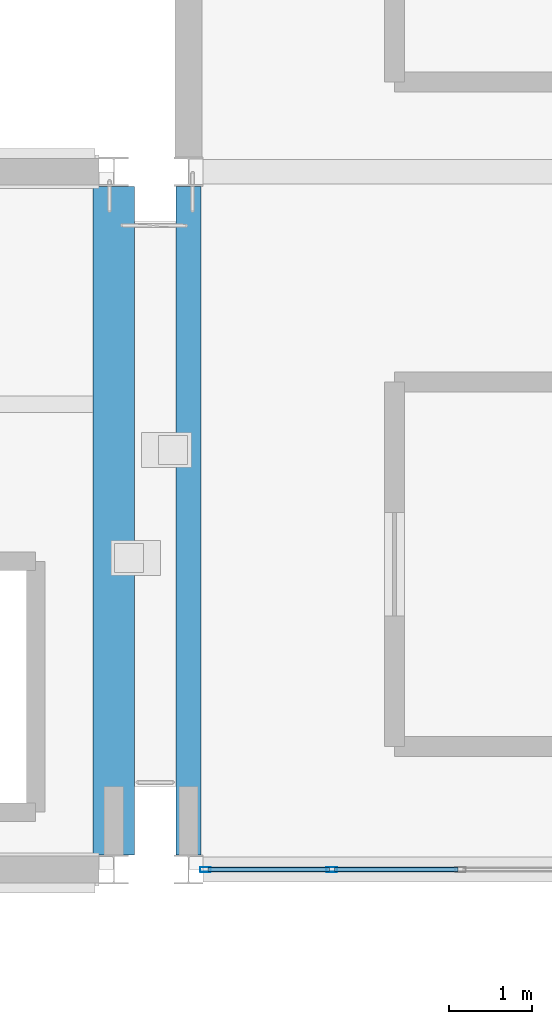
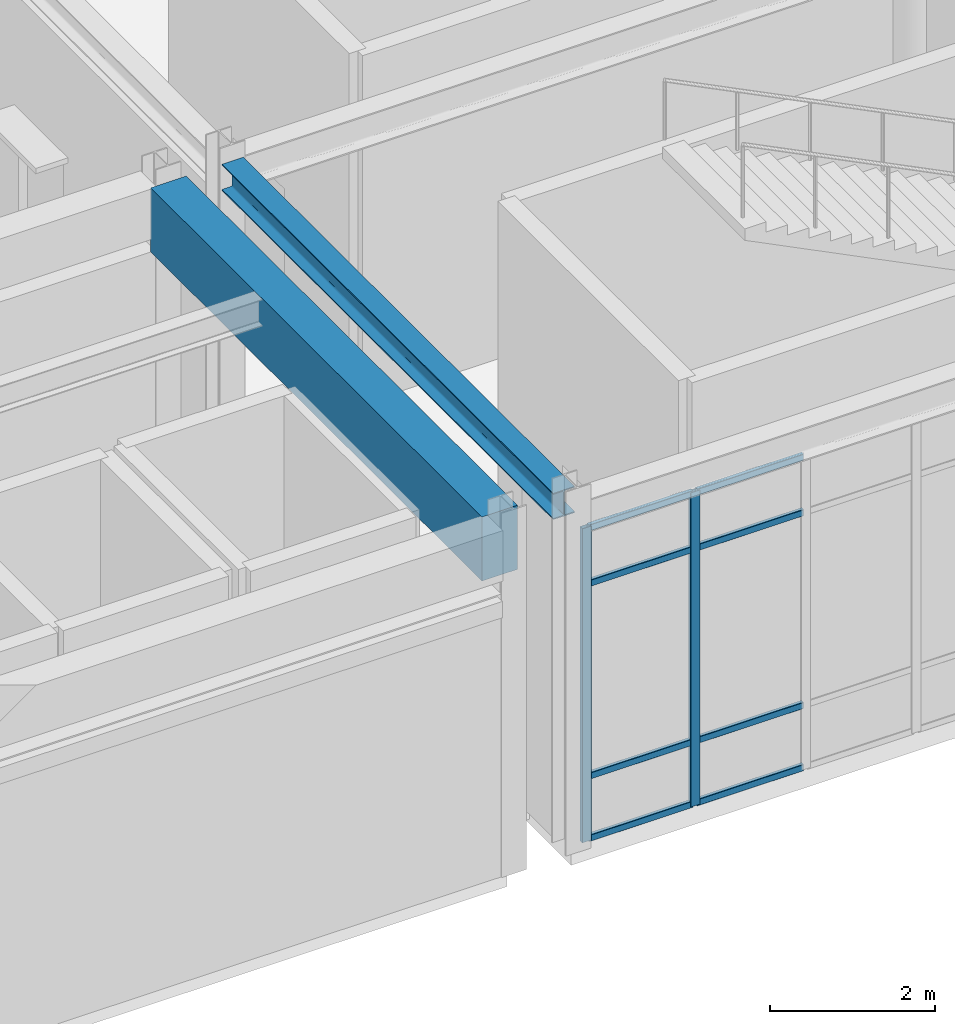
# One storey, part 7 of 80: 10 members, 2 beams, 1 element without a shape of its own.
"""IFC4 building model written with IfcOpenShell, lengths in metres."""

import ifcopenshell
import ifcopenshell.guid

model = None  # the IFC model being written
_history = None  # IfcOwnerHistory: only IFC2X3 demands one
_inside = {}  # id of a spatial element -> (the spatial element, [elements in it])
_under = {}  # id of a project, library or spatial element -> (it, [spatial elements below it])
_declared = {}  # id of a project -> (the project, [libraries it declares])
_typed = {}  # id of a type object -> (the type object, [elements of that type])
_made_of = {}  # id of a material, layer set ... -> (it, [elements and type objects made of it])


def new_model(schema):
    """Start an empty IFC model of exactly this schema.

    Asked for "IFC4X3", IfcOpenShell would pick the latest addendum, in which some entities
    have other attributes; the version numbers below select the first issue.
    IFC2X3 requires an IfcOwnerHistory on every rooted entity: one is made here for all.
    """
    global model, _history
    if schema == "IFC4X3":
        model = ifcopenshell.file(schema_version=(4, 3, 0, 0))
    else:
        model = ifcopenshell.file(schema=schema)
    _inside.clear()
    _under.clear()
    _declared.clear()
    _typed.clear()
    _made_of.clear()
    _history = None
    if model.schema == "IFC2X3":
        org = make("IfcOrganization", Name="unknown")
        user = make(
            "IfcPersonAndOrganization",
            ThePerson=make("IfcPerson", FamilyName="unknown"),
            TheOrganization=org,
        )
        app = make(
            "IfcApplication",
            ApplicationDeveloper=org,
            Version="unknown",
            ApplicationFullName="unknown",
            ApplicationIdentifier="unknown",
        )
        _history = make(
            "IfcOwnerHistory",
            OwningUser=user,
            OwningApplication=app,
            ChangeAction="ADDED",
            CreationDate=0,
        )
    return model


def make(cls, **values):
    """One entity of the class cls with the attributes given. An attribute that is None is left unset."""
    return model.create_entity(
        cls, **{name: value for name, value in values.items() if value is not None}
    )


def rooted(cls, **values):
    """An entity with a GlobalId (a new one), such as an element, a storey or a relation."""
    return make(cls, GlobalId=ifcopenshell.guid.new(), OwnerHistory=_history, **values)


def si_unit(unit_type, name, prefix=None):
    """IfcSIUnit, for example si_unit("LENGTHUNIT", "METRE", prefix="MILLI")."""
    return make("IfcSIUnit", UnitType=unit_type, Prefix=prefix, Name=name)


def assignment(units):
    """IfcUnitAssignment: the units of a project."""
    return None if units is None else make("IfcUnitAssignment", Units=units)


def point(xyz):
    """IfcCartesianPoint."""
    return None if xyz is None else make("IfcCartesianPoint", Coordinates=xyz)


def direction(xyz):
    """IfcDirection."""
    return None if xyz is None else make("IfcDirection", DirectionRatios=xyz)


def frame(location, z_axis=None, x_axis=None):
    """IfcAxis2Placement3D, a coordinate frame: its origin and axes. An axis left out is left unset."""
    return make(
        "IfcAxis2Placement3D",
        Location=point(location),
        Axis=direction(z_axis),
        RefDirection=direction(x_axis),
    )


def frame_2d(location, x_axis=None):
    """IfcAxis2Placement2D, a coordinate frame in the plane: its origin and x axis."""
    return make(
        "IfcAxis2Placement2D", Location=point(location), RefDirection=direction(x_axis)
    )


def origin():
    """The frame at (0, 0, 0) with its axes left unset."""
    return frame((0.0, 0.0, 0.0))


def origin_2d():
    """The frame at (0, 0) in the plane with its x axis left unset."""
    return frame_2d((0.0, 0.0))


def place(relative_to, where):
    """IfcLocalPlacement: puts the frame where relative to a parent placement (None: the world)."""
    return make(
        "IfcLocalPlacement", PlacementRelTo=relative_to, RelativePlacement=where
    )


def context(
    kind, dimensions, precision=None, world=None, true_north=None, identifier=None
):
    """IfcGeometricRepresentationContext, for example the 3D "Model" context."""
    return make(
        "IfcGeometricRepresentationContext",
        ContextIdentifier=identifier,
        ContextType=kind,
        CoordinateSpaceDimension=dimensions,
        Precision=precision,
        WorldCoordinateSystem=world,
        TrueNorth=true_north,
    )


def subcontext(parent, identifier, kind, view, scale=None):
    """IfcGeometricRepresentationSubContext, for example "Body" below "Model"."""
    return make(
        "IfcGeometricRepresentationSubContext",
        ContextIdentifier=identifier,
        ContextType=kind,
        ParentContext=parent,
        TargetScale=scale,
        TargetView=view,
    )


def project(units=None, contexts=None):
    """IfcProject with its units and contexts."""
    return rooted(
        "IfcProject",
        Name="project",
        RepresentationContexts=contexts,
        UnitsInContext=assignment(units),
    )


def spatial(cls, under=None, at=None, **own):
    """A site, building, storey or space (cls), placed at a placement, below another one or the project."""
    s = rooted(cls, ObjectPlacement=at, **own)
    if under is not None:
        _under.setdefault(under.id(), (under, []))[1].append(s)
    return s


def profile(cls, at=None, kind="AREA", **sizes):
    """A parametric profile (cls). Its sizes go by their IFC names, for example OverallWidth=200.0."""
    return make(cls, ProfileType=kind, Position=at, **sizes)


def rectangle(**sizes):
    """IfcRectangleProfileDef."""
    return profile("IfcRectangleProfileDef", **sizes)


def hollow_rectangle(**sizes):
    """IfcRectangleHollowProfileDef."""
    return profile("IfcRectangleHollowProfileDef", **sizes)


def i_section(**sizes):
    """IfcIShapeProfileDef."""
    return profile("IfcIShapeProfileDef", **sizes)


def extrude(swept, where, along, depth):
    """IfcExtrudedAreaSolid: the profile swept, set in the frame where, extruded along a direction by depth."""
    return make(
        "IfcExtrudedAreaSolid",
        SweptArea=swept,
        Position=where,
        ExtrudedDirection=direction(along),
        Depth=depth,
    )


def shape(context_of_items, identifier, shape_type, items):
    """IfcShapeRepresentation: the items that make up one representation, for example the "Body"."""
    return make(
        "IfcShapeRepresentation",
        ContextOfItems=context_of_items,
        RepresentationIdentifier=identifier,
        RepresentationType=shape_type,
        Items=items,
    )


def material(Name=None, Category=None):
    """IfcMaterial."""
    return make("IfcMaterial", Name=Name, Category=Category)


def material_profile(
    of_material, cross_section, Name=None, Category=None, Priority=None
):
    """IfcMaterialProfile: a cross section and its material."""
    return make(
        "IfcMaterialProfile",
        Name=Name,
        Material=of_material,
        Profile=cross_section,
        Priority=Priority,
        Category=Category,
    )


def profile_set(profiles, Name=None, composite=None):
    """IfcMaterialProfileSet."""
    return make(
        "IfcMaterialProfileSet",
        Name=Name,
        MaterialProfiles=profiles,
        CompositeProfile=composite,
    )


def made_of(thing, what):
    """Note that an element or type object is made of a material, layer set ...; save() writes the relation."""
    if what is not None:
        _made_of.setdefault(what.id(), (what, []))[1].append(thing)
    return thing


def type_object(cls, material=None, **own):
    """A type object (cls), such as IfcWallType, which elements share."""
    return made_of(rooted(cls, **own), material)


def element(
    cls,
    number,
    at=None,
    inside=None,
    cuts=None,
    type_object=None,
    material=None,
    context=None,
    identifier="Body",
    shape_type=None,
    held_by="IfcProductDefinitionShape",
    body=None,
    shapes=None,
    **own,
):
    """One element of the class cls, such as IfcWall. Its Tag is "e" and its number.

    at: its placement. inside: the storey or other place that contains it. cuts: it is an
    opening in that element (IfcRelVoidsElement). A single representation is given by context,
    identifier, shape_type and body (its items); several are given by shapes. held_by: the class
    of the entity that holds the representations. save() writes the other relations.
    """
    e = rooted(cls, Tag="e%d" % number, ObjectPlacement=at, **own)
    if body is not None:
        shapes = [shape(context, identifier, shape_type, body)]
    if shapes is not None:
        e.Representation = make(held_by, Representations=shapes)
    if inside is not None:
        _inside.setdefault(inside.id(), (inside, []))[1].append(e)
    if cuts is not None:
        rooted(
            "IfcRelVoidsElement", RelatingBuildingElement=cuts, RelatedOpeningElement=e
        )
    if type_object is not None:
        _typed.setdefault(type_object.id(), (type_object, []))[1].append(e)
    return made_of(e, material)


def aggregate(whole, parts):
    """IfcRelAggregates: a whole, such as a stair, and the parts it consists of."""
    return rooted("IfcRelAggregates", RelatingObject=whole, RelatedObjects=parts)


def save(model, path):
    """Write the relations noted so far, then the file.

    IfcRelAggregates (storeys below a building ...), IfcRelContainedInSpatialStructure (elements
    in a storey), IfcRelDefinesByType, IfcRelAssociatesMaterial and IfcRelDeclares: one each for
    every whole, place, type object, material and project.
    """
    for whole, parts in _under.values():
        aggregate(whole, parts)
    for where, things in _inside.values():
        rooted(
            "IfcRelContainedInSpatialStructure",
            RelatedElements=things,
            RelatingStructure=where,
        )
    for kind, things in _typed.values():
        rooted("IfcRelDefinesByType", RelatedObjects=things, RelatingType=kind)
    for what, things in _made_of.values():
        rooted("IfcRelAssociatesMaterial", RelatedObjects=things, RelatingMaterial=what)
    for by, libraries in _declared.values():
        rooted("IfcRelDeclares", RelatingContext=by, RelatedDefinitions=libraries)
    model.write(path)


model = new_model("IFC4")

# Units and contexts
model_context = context("Model", 3, precision=1e-05, world=origin(), true_north=direction((0.0, 1.0)))
body_context = subcontext(model_context, "Body", "Model", "MODEL_VIEW")
ifc_project = project(units=[si_unit("LENGTHUNIT", "METRE"), si_unit("AREAUNIT", "SQUARE_METRE"), si_unit("VOLUMEUNIT", "CUBIC_METRE"), si_unit("PLANEANGLEUNIT", "RADIAN"), si_unit("MASSUNIT", "GRAM", prefix="KILO")], contexts=[model_context])

# Site, building, storey
site_placement = place(None, origin())
site = spatial("IfcSite", under=ifc_project, at=site_placement, CompositionType="ELEMENT")
building_placement = place(site_placement, origin())
building = spatial("IfcBuilding", under=site, at=building_placement, Name="Canglan Escarpment Cableway Terminal", CompositionType="ELEMENT")
storey_placement = place(building_placement, frame((0.0, 0.0, 19.199951171875)))
storey = spatial("IfcBuildingStorey", under=building, at=storey_placement, Name="L04", CompositionType="ELEMENT", Elevation=19.199951171875)

# Beams
ifc_material_1 = material(Name="Steel Q355B", Category="steel")
ifc_material_profile_1 = material_profile(ifc_material_1, i_section(OverallWidth=0.300048828125, OverallDepth=0.389892578125, WebThickness=0.010009765625, FlangeThickness=0.01611328125, FilletRadius=0.02197265625, at=origin_2d()), Name="HM 390x300x10x16")
ifc_profile_set_1 = profile_set([ifc_material_profile_1], Name="Steel Q355B")
beam_type_1 = type_object("IfcBeamType", Name="BM-ARCH-TOP-HM390", PredefinedType="BEAM", material=ifc_profile_set_1)
beam_1_placement = place(storey_placement, frame((147.199951171875, 8.175048828125, 4.965087890625), z_axis=(0.0, 1.0, 0.0), x_axis=(-1.0, 0.0, 0.0)))
element("IfcBeam", 1, at=beam_1_placement, inside=storey, type_object=beam_type_1, Name="Primary transverse girder AR-TC1", PredefinedType="BEAM", context=body_context, shape_type="SweptSolid", body=[
    extrude(i_section(OverallWidth=0.300048828125, OverallDepth=0.389892578125, WebThickness=0.010009765625, FlangeThickness=0.01611328125, FilletRadius=0.02197265625, at=origin_2d()), origin(), (0.0, 0.0, 1.0), 8.050048828125),
])
ifc_material_2 = material(Name="Concrete C50", Category="concrete")
ifc_material_profile_2 = material_profile(ifc_material_2, rectangle(XDim=0.5, YDim=0.949951171875, at=origin_2d()), Name="RC 500x950")
ifc_profile_set_2 = profile_set([ifc_material_profile_2], Name="Concrete C50")
beam_type_2 = type_object("IfcBeamType", Name="BM-RC500x950", PredefinedType="BEAM", material=ifc_profile_set_2)
beam_2_placement = place(storey_placement, frame((146.300048828125, 8.175048828125, 4.68505859375), z_axis=(0.0, 1.0, 0.0), x_axis=(-1.0, 0.0, 0.0)))
element("IfcBeam", 2, at=beam_2_placement, inside=storey, type_object=beam_type_2, Name="Primary transverse girder B-01", PredefinedType="BEAM", context=body_context, shape_type="SweptSolid", body=[
    extrude(rectangle(XDim=0.5, YDim=0.949951171875, at=origin_2d()), origin(), (0.0, 0.0, 1.0), 8.050048828125),
])

# Curtain wall, members
ifc_material_3 = material(Name="Anodized bronze aluminium and Low-E double glazing", Category="aluminium")
curtain_wall_type = type_object("IfcCurtainWallType", Name="CW-BAY-9300x4650", PredefinedType="NOTDEFINED", material=ifc_material_3)
curtain_wall_placement = place(storey_placement, origin())
curtain_wall = element("IfcCurtainWall", 3, at=curtain_wall_placement, inside=storey, type_object=curtain_wall_type, Name="Classical bay-between-piers glazed curtain wall CW-33", PredefinedType="NOTDEFINED")
ifc_material_4 = material(Name="Thermally broken anodized aluminium 6063-T6", Category="aluminium")
ifc_material_profile_3 = material_profile(ifc_material_4, hollow_rectangle(XDim=0.06005859375, YDim=0.1298828125, WallThickness=0.0029296875, InnerFilletRadius=0.0029296875, OuterFilletRadius=0.006103515625, at=origin_2d()), Name="ALU-MULL 60x130x3")
ifc_profile_set_3 = profile_set([ifc_material_profile_3], Name="Thermally broken anodized aluminium 6063-T6")
member_type_1 = type_object("IfcMemberType", Name="CWM-01", PredefinedType="MULLION", material=ifc_profile_set_3)
member_1_placement = place(storey_placement, frame((147.405029296875, 8.0, 0.0), z_axis=(0.0, 0.0, 1.0), x_axis=(0.0, 1.0, 0.0)))
member_1 = element("IfcMember", 4, at=member_1_placement, type_object=member_type_1, Name="CW-33 mullion 1", PredefinedType="MULLION", context=body_context, shape_type="SweptSolid", body=[
    extrude(hollow_rectangle(XDim=0.06005859375, YDim=0.1298828125, WallThickness=0.0029296875, InnerFilletRadius=0.0029296875, OuterFilletRadius=0.006103515625, at=origin_2d()), origin(), (0.0, 0.0, 1.0), 4.656982421875),
])
member_2_placement = place(storey_placement, frame((148.925048828125, 8.0, 0.0), z_axis=(0.0, 0.0, 1.0), x_axis=(0.0, 1.0, 0.0)))
member_2 = element("IfcMember", 5, at=member_2_placement, type_object=member_type_1, Name="CW-33 mullion 2", PredefinedType="MULLION", context=body_context, shape_type="SweptSolid", body=[
    extrude(hollow_rectangle(XDim=0.06005859375, YDim=0.1298828125, WallThickness=0.0029296875, InnerFilletRadius=0.0029296875, OuterFilletRadius=0.006103515625, at=origin_2d()), origin(), (0.0, 0.0, 1.0), 4.656982421875),
])
ifc_material_profile_4 = material_profile(ifc_material_4, hollow_rectangle(XDim=0.054931640625, YDim=0.094970703125, WallThickness=0.0029296875, InnerFilletRadius=0.0029296875, OuterFilletRadius=0.006103515625, at=origin_2d()), Name="ALU-TRAN 55x95x3")
ifc_profile_set_4 = profile_set([ifc_material_profile_4], Name="Thermally broken anodized aluminium 6063-T6")
member_type_2 = type_object("IfcMemberType", Name="CWT-01", PredefinedType="USERDEFINED", material=ifc_profile_set_4)
member_3_placement = place(storey_placement, frame((147.43505859375, 8.0, 0.027587890625), z_axis=(1.0, 0.0, 0.0), x_axis=(0.0, 1.0, 0.0)))
member_3 = element("IfcMember", 6, at=member_3_placement, type_object=member_type_2, Name="CW-33 transom 1.1", ObjectType="TRANSOM", PredefinedType="USERDEFINED", context=body_context, shape_type="SweptSolid", body=[
    extrude(hollow_rectangle(XDim=0.054931640625, YDim=0.094970703125, WallThickness=0.0029296875, InnerFilletRadius=0.0029296875, OuterFilletRadius=0.006103515625, at=origin_2d()), origin(), (0.0, 0.0, 1.0), 1.4599609375),
])
member_4_placement = place(storey_placement, frame((147.43505859375, 8.0, 0.949951171875), z_axis=(1.0, 0.0, 0.0), x_axis=(0.0, 1.0, 0.0)))
member_4 = element("IfcMember", 7, at=member_4_placement, type_object=member_type_2, Name="CW-33 transom 1.2", ObjectType="TRANSOM", PredefinedType="USERDEFINED", context=body_context, shape_type="SweptSolid", body=[
    extrude(hollow_rectangle(XDim=0.054931640625, YDim=0.094970703125, WallThickness=0.0029296875, InnerFilletRadius=0.0029296875, OuterFilletRadius=0.006103515625, at=origin_2d()), origin(), (0.0, 0.0, 1.0), 1.4599609375),
])
member_5_placement = place(storey_placement, frame((147.43505859375, 8.0, 3.80712890625), z_axis=(1.0, 0.0, 0.0), x_axis=(0.0, 1.0, 0.0)))
member_5 = element("IfcMember", 8, at=member_5_placement, type_object=member_type_2, Name="CW-33 transom 1.3", ObjectType="TRANSOM", PredefinedType="USERDEFINED", context=body_context, shape_type="SweptSolid", body=[
    extrude(hollow_rectangle(XDim=0.054931640625, YDim=0.094970703125, WallThickness=0.0029296875, InnerFilletRadius=0.0029296875, OuterFilletRadius=0.006103515625, at=origin_2d()), origin(), (0.0, 0.0, 1.0), 1.4599609375),
])
member_6_placement = place(storey_placement, frame((147.43505859375, 8.0, 4.629638671875), z_axis=(1.0, 0.0, 0.0), x_axis=(0.0, 1.0, 0.0)))
member_6 = element("IfcMember", 9, at=member_6_placement, type_object=member_type_2, Name="CW-33 transom 1.4", ObjectType="TRANSOM", PredefinedType="USERDEFINED", context=body_context, shape_type="SweptSolid", body=[
    extrude(hollow_rectangle(XDim=0.054931640625, YDim=0.094970703125, WallThickness=0.0029296875, InnerFilletRadius=0.0029296875, OuterFilletRadius=0.006103515625, at=origin_2d()), origin(), (0.0, 0.0, 1.0), 1.4599609375),
])
member_7_placement = place(storey_placement, frame((148.955078125, 8.0, 0.027587890625), z_axis=(1.0, 0.0, 0.0), x_axis=(0.0, 1.0, 0.0)))
member_7 = element("IfcMember", 10, at=member_7_placement, type_object=member_type_2, Name="CW-33 transom 2.1", ObjectType="TRANSOM", PredefinedType="USERDEFINED", context=body_context, shape_type="SweptSolid", body=[
    extrude(hollow_rectangle(XDim=0.054931640625, YDim=0.094970703125, WallThickness=0.0029296875, InnerFilletRadius=0.0029296875, OuterFilletRadius=0.006103515625, at=origin_2d()), origin(), (0.0, 0.0, 1.0), 1.489990234375),
])
member_8_placement = place(storey_placement, frame((148.955078125, 8.0, 0.949951171875), z_axis=(1.0, 0.0, 0.0), x_axis=(0.0, 1.0, 0.0)))
member_8 = element("IfcMember", 11, at=member_8_placement, type_object=member_type_2, Name="CW-33 transom 2.2", ObjectType="TRANSOM", PredefinedType="USERDEFINED", context=body_context, shape_type="SweptSolid", body=[
    extrude(hollow_rectangle(XDim=0.054931640625, YDim=0.094970703125, WallThickness=0.0029296875, InnerFilletRadius=0.0029296875, OuterFilletRadius=0.006103515625, at=origin_2d()), origin(), (0.0, 0.0, 1.0), 1.489990234375),
])
member_9_placement = place(storey_placement, frame((148.955078125, 8.0, 3.80712890625), z_axis=(1.0, 0.0, 0.0), x_axis=(0.0, 1.0, 0.0)))
member_9 = element("IfcMember", 12, at=member_9_placement, type_object=member_type_2, Name="CW-33 transom 2.3", ObjectType="TRANSOM", PredefinedType="USERDEFINED", context=body_context, shape_type="SweptSolid", body=[
    extrude(hollow_rectangle(XDim=0.054931640625, YDim=0.094970703125, WallThickness=0.0029296875, InnerFilletRadius=0.0029296875, OuterFilletRadius=0.006103515625, at=origin_2d()), origin(), (0.0, 0.0, 1.0), 1.489990234375),
])
member_10_placement = place(storey_placement, frame((148.955078125, 8.0, 4.629638671875), z_axis=(1.0, 0.0, 0.0), x_axis=(0.0, 1.0, 0.0)))
member_10 = element("IfcMember", 13, at=member_10_placement, type_object=member_type_2, Name="CW-33 transom 2.4", ObjectType="TRANSOM", PredefinedType="USERDEFINED", context=body_context, shape_type="SweptSolid", body=[
    extrude(hollow_rectangle(XDim=0.054931640625, YDim=0.094970703125, WallThickness=0.0029296875, InnerFilletRadius=0.0029296875, OuterFilletRadius=0.006103515625, at=origin_2d()), origin(), (0.0, 0.0, 1.0), 1.489990234375),
])
aggregate(curtain_wall, [member_1, member_2, member_3, member_4, member_5, member_6, member_7, member_8, member_9, member_10])

save(model, "model.ifc")
